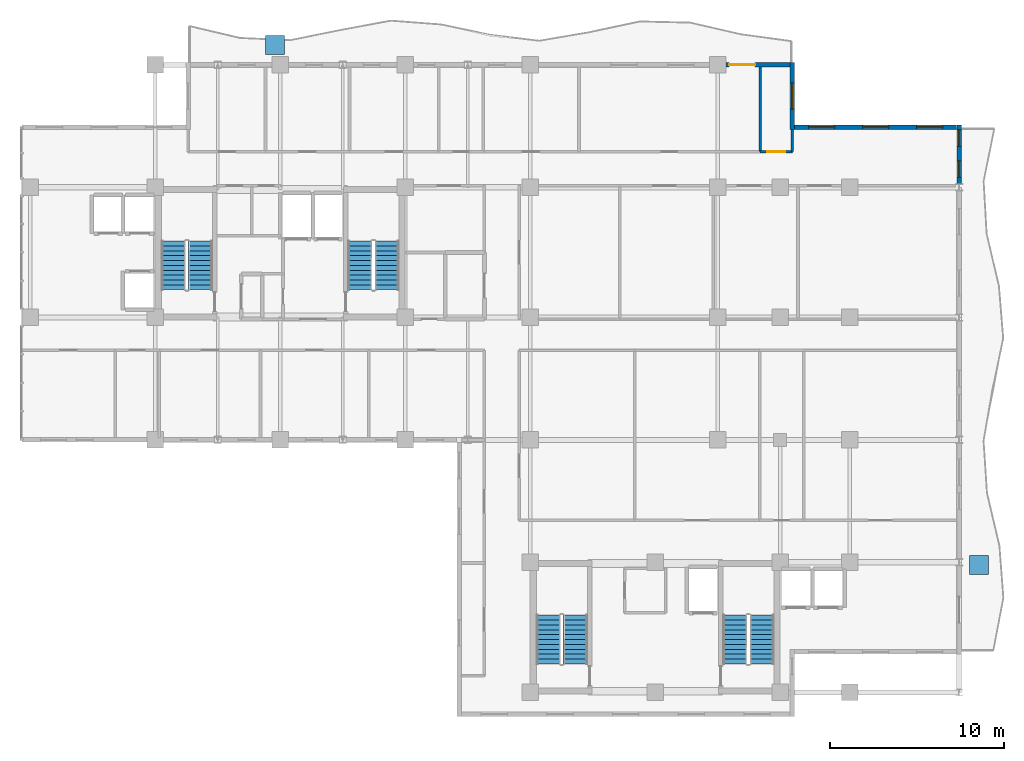
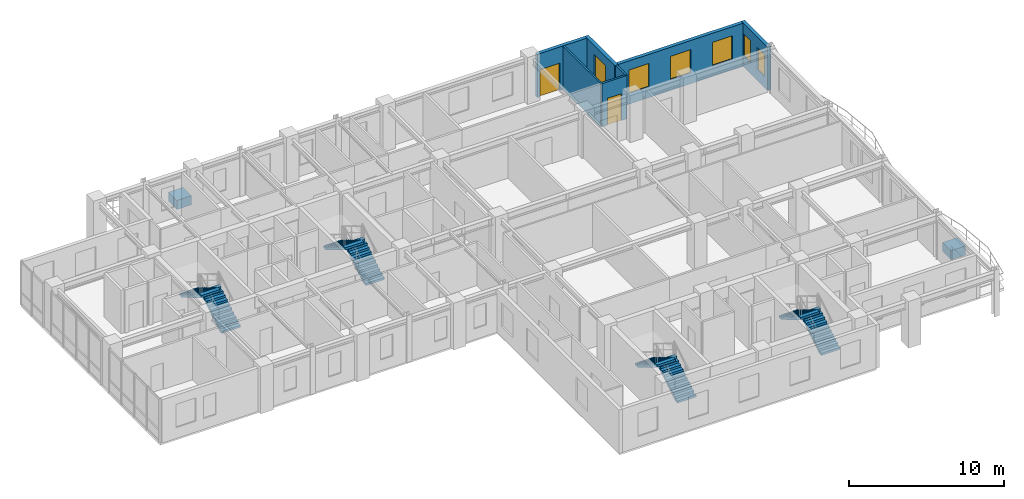
# One storey, part 17 of 20: 8 stair flights, 7 walls, 6 windows, 2 discrete accessories, 2 doors, 8 openings, 4 elements without a shape of their own.
"""IFC4 building model written with IfcOpenShell, lengths in metres."""

from ifc_helpers import new_model, si_unit, direction, frame, frame_2d, origin, origin_2d, place, context, subcontext, project, spatial, polyline, rectangle, outline, extrude, source, transform, mapped, material, layer, layer_set, type_object, element, fill, aggregate, save


model = new_model("IFC4")

# Units and contexts
model_context = context("Model", 3, precision=1e-05, world=origin(), true_north=direction((0.0, 1.0)))
body_context = subcontext(model_context, "Body", "Model", "MODEL_VIEW")
ifc_project = project(units=[si_unit("LENGTHUNIT", "METRE"), si_unit("AREAUNIT", "SQUARE_METRE"), si_unit("VOLUMEUNIT", "CUBIC_METRE"), si_unit("PLANEANGLEUNIT", "RADIAN"), si_unit("MASSUNIT", "GRAM", prefix="KILO")], contexts=[model_context])

# Site, building, storey
site_placement = place(None, origin())
site = spatial("IfcSite", under=ifc_project, at=site_placement, CompositionType="ELEMENT")
building_placement = place(site_placement, origin())
building = spatial("IfcBuilding", under=site, at=building_placement, Name="Kaliganga Portal Commons", CompositionType="ELEMENT")
storey_placement = place(building_placement, frame((0.0, 0.0, 231.39990234375)))
storey = spatial("IfcBuildingStorey", under=building, at=storey_placement, Name="L59", CompositionType="ELEMENT", Elevation=231.39990234375)

# Wall, openings, windows
ifc_material_1 = material(Name="Insulated Aluminium-Clad Spandrel Assembly", Category="aluminium")
ifc_layer_1 = layer(ifc_material_1, 0.260009765625)
ifc_layer_set_1 = layer_set([ifc_layer_1], Name="Insulated Aluminium-Clad Spandrel Assembly")
wall_type_1 = type_object("IfcWallType", Name="WL-EXT-SPAND-260", PredefinedType="STANDARD", material=ifc_layer_set_1)
wall_1_placement = place(storey_placement, frame((60.699951171875, 39.72998046875, 0.0), z_axis=(0.0, 0.0, 1.0), x_axis=(0.0, -1.0, 0.0)))
wall_1 = element("IfcWall", 1, at=wall_1_placement, inside=storey, type_object=wall_type_1, Name="Exterior Envelope Wall L59 P1-E03-S5", PredefinedType="STANDARD", context=body_context, shape_type="SweptSolid", body=[
    extrude(rectangle(XDim=3.37890625, YDim=0.260009765625, at=frame_2d((1.689453125, 0.0))), origin(), (0.0, 0.0, 1.0), 3.420166015625),
])
opening_1_placement = place(wall_1_placement, frame((2.052490234375, 0.0, 0.85009765625)))
opening_1 = element("IfcOpeningElement", 2, at=opening_1_placement, cuts=wall_1, Name="Opening W-04", PredefinedType="OPENING", context=body_context, shape_type="SweptSolid", body=[
    extrude(rectangle(XDim=0.949951171875, YDim=1.75, at=frame_2d((0.47509765625, 0.875))), frame((0.0, 0.14013671875, 0.0), z_axis=(0.0, -1.0, 0.0), x_axis=(1.0, 0.0, 0.0)), (0.0, 0.0, 1.0), 0.280029296875),
])
opening_2_placement = place(wall_1_placement, frame((0.268310546875, 0.0, 0.85009765625)))
opening_2 = element("IfcOpeningElement", 3, at=opening_2_placement, cuts=wall_1, Name="Opening W-04", PredefinedType="OPENING", context=body_context, shape_type="SweptSolid", body=[
    extrude(rectangle(XDim=0.949951171875, YDim=1.75, at=frame_2d((0.47509765625, 0.875))), frame((0.0, 0.14013671875, 0.0), z_axis=(0.0, -1.0, 0.0), x_axis=(1.0, 0.0, 0.0)), (0.0, 0.0, 1.0), 0.280029296875),
])
ifc_material_2 = material(Name="Thermally Broken Aluminium and Low-E Double Glazing", Category="aluminium")
window_type_1 = type_object("IfcWindowType", Name="WIN-NARROW-950", PartitioningType="SINGLE_PANEL", PredefinedType="WINDOW", material=ifc_material_2)
window_1_placement = place(opening_1_placement, origin())
window_1 = element("IfcWindow", 4, at=window_1_placement, inside=storey, type_object=window_type_1, Name="Facade Window L59-P1E03S5-N2", OverallHeight=1.75, OverallWidth=0.949951171875, PartitioningType="SINGLE_PANEL", PredefinedType="WINDOW", context=body_context, shape_type="SweptSolid", body=[
    extrude(rectangle(XDim=0.949951171875, YDim=1.75, at=frame_2d((0.47509765625, 0.875))), frame((0.0, 0.030029296875, 0.0), z_axis=(0.0, -1.0, 0.0), x_axis=(1.0, 0.0, 0.0)), (0.0, 0.0, 1.0), 0.06005859375),
])
fill(opening_1, window_1)
window_2_placement = place(opening_2_placement, origin())
window_2 = element("IfcWindow", 5, at=window_2_placement, inside=storey, type_object=window_type_1, Name="Facade Window L59-P1E03S5-N9", OverallHeight=1.75, OverallWidth=0.949951171875, PartitioningType="SINGLE_PANEL", PredefinedType="WINDOW", context=body_context, shape_type="SweptSolid", body=[
    extrude(rectangle(XDim=0.949951171875, YDim=1.75, at=frame_2d((0.47509765625, 0.875))), frame((0.0, 0.030029296875, 0.0), z_axis=(0.0, -1.0, 0.0), x_axis=(1.0, 0.0, 0.0)), (0.0, 0.0, 1.0), 0.06005859375),
])
fill(opening_2, window_2)

wall_2_placement = place(storey_placement, frame((51.235107421875, 39.60009765625, 0.0), z_axis=(0.0, 0.0, 1.0), x_axis=(1.0, 0.0, 0.0)))
wall_2 = element("IfcWall", 6, at=wall_2_placement, inside=storey, type_object=wall_type_1, Name="Exterior Envelope Wall L59 P1-E04-S1", PredefinedType="STANDARD", context=body_context, shape_type="SweptSolid", body=[
    extrude(rectangle(XDim=9.329833984375, YDim=0.260009765625, at=frame_2d((4.6650390625, 0.0))), origin(), (0.0, 0.0, 1.0), 3.420166015625),
])
opening_3_placement = place(wall_2_placement, frame((0.804931640625, 0.0, 0.85009765625)))
opening_3 = element("IfcOpeningElement", 7, at=opening_3_placement, cuts=wall_2, Name="Opening W-02", PredefinedType="OPENING", context=body_context, shape_type="SweptSolid", body=[
    extrude(rectangle(XDim=1.5, YDim=1.85009765625, at=frame_2d((0.75, 0.925048828125))), frame((0.0, 0.14013671875, 0.0), z_axis=(0.0, -1.0, 0.0), x_axis=(1.0, 0.0, 0.0)), (0.0, 0.0, 1.0), 0.280029296875),
])
opening_4_placement = place(wall_2_placement, frame((3.9150390625, 0.0, 0.85009765625)))
opening_4 = element("IfcOpeningElement", 8, at=opening_4_placement, cuts=wall_2, Name="Opening W-02", PredefinedType="OPENING", context=body_context, shape_type="SweptSolid", body=[
    extrude(rectangle(XDim=1.5, YDim=1.85009765625, at=frame_2d((0.75, 0.925048828125))), frame((0.0, 0.14013671875, 0.0), z_axis=(0.0, -1.0, 0.0), x_axis=(1.0, 0.0, 0.0)), (0.0, 0.0, 1.0), 0.280029296875),
])
opening_5_placement = place(wall_2_placement, frame((7.02490234375, 0.0, 0.85009765625)))
opening_5 = element("IfcOpeningElement", 9, at=opening_5_placement, cuts=wall_2, Name="Opening W-02", PredefinedType="OPENING", context=body_context, shape_type="SweptSolid", body=[
    extrude(rectangle(XDim=1.5, YDim=1.85009765625, at=frame_2d((0.75, 0.925048828125))), frame((0.0, 0.14013671875, 0.0), z_axis=(0.0, -1.0, 0.0), x_axis=(1.0, 0.0, 0.0)), (0.0, 0.0, 1.0), 0.280029296875),
])
window_type_2 = type_object("IfcWindowType", Name="WIN-STD-1500", PartitioningType="DOUBLE_PANEL_VERTICAL", PredefinedType="WINDOW", material=ifc_material_2)
window_3_placement = place(opening_3_placement, origin())
window_3 = element("IfcWindow", 10, at=window_3_placement, inside=storey, type_object=window_type_2, Name="Facade Window L59-P1E04S1-00", OverallHeight=1.85009765625, OverallWidth=1.5, PartitioningType="SINGLE_PANEL", PredefinedType="WINDOW", context=body_context, shape_type="SweptSolid", body=[
    extrude(rectangle(XDim=1.5, YDim=1.85009765625, at=frame_2d((0.75, 0.925048828125))), frame((0.0, 0.030029296875, 0.0), z_axis=(0.0, -1.0, 0.0), x_axis=(1.0, 0.0, 0.0)), (0.0, 0.0, 1.0), 0.06005859375),
])
fill(opening_3, window_3)
window_4_placement = place(opening_4_placement, origin())
window_4 = element("IfcWindow", 11, at=window_4_placement, inside=storey, type_object=window_type_2, Name="Facade Window L59-P1E04S1-01", OverallHeight=1.85009765625, OverallWidth=1.5, PartitioningType="SINGLE_PANEL", PredefinedType="WINDOW", context=body_context, shape_type="SweptSolid", body=[
    extrude(rectangle(XDim=1.5, YDim=1.85009765625, at=frame_2d((0.75, 0.925048828125))), frame((0.0, 0.030029296875, 0.0), z_axis=(0.0, -1.0, 0.0), x_axis=(1.0, 0.0, 0.0)), (0.0, 0.0, 1.0), 0.06005859375),
])
fill(opening_4, window_4)
window_5_placement = place(opening_5_placement, origin())
window_5 = element("IfcWindow", 12, at=window_5_placement, inside=storey, type_object=window_type_2, Name="Facade Window L59-P1E04S1-02", OverallHeight=1.85009765625, OverallWidth=1.5, PartitioningType="SINGLE_PANEL", PredefinedType="WINDOW", context=body_context, shape_type="SweptSolid", body=[
    extrude(rectangle(XDim=1.5, YDim=1.85009765625, at=frame_2d((0.75, 0.925048828125))), frame((0.0, 0.030029296875, 0.0), z_axis=(0.0, -1.0, 0.0), x_axis=(1.0, 0.0, 0.0)), (0.0, 0.0, 1.0), 0.06005859375),
])
fill(opening_5, window_5)

# Wall, opening, window
wall_3_placement = place(storey_placement, frame((51.10009765625, 43.330078125, 0.0), z_axis=(0.0, 0.0, 1.0), x_axis=(0.0, -1.0, 0.0)))
wall_3 = element("IfcWall", 13, at=wall_3_placement, inside=storey, type_object=wall_type_1, Name="Exterior Envelope Wall L59 P1-E05-S1", PredefinedType="STANDARD", context=body_context, shape_type="SweptSolid", body=[
    extrude(rectangle(XDim=3.860107421875, YDim=0.260009765625, at=frame_2d((1.93017578125, 0.0))), origin(), (0.0, 0.0, 1.0), 3.420166015625),
])
opening_6_placement = place(wall_3_placement, frame((1.179931640625, 0.0, 0.85009765625)))
opening_6 = element("IfcOpeningElement", 14, at=opening_6_placement, cuts=wall_3, Name="Opening W-02", PredefinedType="OPENING", context=body_context, shape_type="SweptSolid", body=[
    extrude(rectangle(XDim=1.5, YDim=1.85009765625, at=frame_2d((0.75, 0.925048828125))), frame((0.0, 0.14013671875, 0.0), z_axis=(0.0, -1.0, 0.0), x_axis=(1.0, 0.0, 0.0)), (0.0, 0.0, 1.0), 0.280029296875),
])
window_6_placement = place(opening_6_placement, origin())
window_6 = element("IfcWindow", 15, at=window_6_placement, inside=storey, type_object=window_type_2, Name="Facade Window L59-P1E05S1-00", OverallHeight=1.85009765625, OverallWidth=1.5, PartitioningType="SINGLE_PANEL", PredefinedType="WINDOW", context=body_context, shape_type="SweptSolid", body=[
    extrude(rectangle(XDim=1.5, YDim=1.85009765625, at=frame_2d((0.75, 0.925048828125))), frame((0.0, 0.030029296875, 0.0), z_axis=(0.0, -1.0, 0.0), x_axis=(1.0, 0.0, 0.0)), (0.0, 0.0, 1.0), 0.06005859375),
])
fill(opening_6, window_6)

# Wall, opening, door
wall_4_placement = place(storey_placement, frame((47.27587890625, 43.199951171875, 0.0), z_axis=(0.0, 0.0, 1.0), x_axis=(1.0, 0.0, 0.0)))
wall_4 = element("IfcWall", 16, at=wall_4_placement, inside=storey, type_object=wall_type_1, Name="Exterior Envelope Wall L59 P1-E06-S1", PredefinedType="STANDARD", context=body_context, shape_type="SweptSolid", body=[
    extrude(rectangle(XDim=3.689208984375, YDim=0.260009765625, at=frame_2d((1.8447265625, 0.0))), origin(), (0.0, 0.0, 1.0), 3.420166015625),
])
opening_7_placement = place(wall_4_placement, frame((0.179931640625, 0.0, 0.0)))
opening_7 = element("IfcOpeningElement", 17, at=opening_7_placement, cuts=wall_4, Name="Opening BD-01", PredefinedType="OPENING", context=body_context, shape_type="SweptSolid", body=[
    extrude(rectangle(XDim=1.5, YDim=2.14990234375, at=frame_2d((0.75, 1.074951171875))), frame((0.0, 0.14013671875, 0.0), z_axis=(0.0, -1.0, 0.0), x_axis=(1.0, 0.0, 0.0)), (0.0, 0.0, 1.0), 0.280029296875),
])
ifc_material_3 = material(Name="Anodized Aluminium and Laminated Safety Glass", Category="aluminium")
door_type_1 = type_object("IfcDoorType", Name="DR-BALC-1500", OperationType="SLIDING_TO_LEFT", PredefinedType="DOOR", material=ifc_material_3)
door_1_placement = place(opening_7_placement, origin())
door_1 = element("IfcDoor", 18, at=door_1_placement, inside=storey, type_object=door_type_1, Name="Balcony Sliding Door L59 balc_north", OperationType="SLIDING_TO_LEFT", OverallHeight=2.14990234375, OverallWidth=1.5, PredefinedType="DOOR", context=body_context, shape_type="SweptSolid", body=[
    extrude(rectangle(XDim=1.5, YDim=2.14990234375, at=frame_2d((0.75, 1.074951171875))), frame((0.0, 0.02490234375, 0.0), z_axis=(0.0, -1.0, 0.0), x_axis=(1.0, 0.0, 0.0)), (0.0, 0.0, 1.0), 0.050048828125),
])
fill(opening_7, door_1)

ifc_material_4 = material(Name="Fire-Rated Gypsum Board on Steel Stud", Category="steel")
ifc_layer_2 = layer(ifc_material_4, 0.14990234375)
ifc_layer_set_2 = layer_set([ifc_layer_2], Name="Fire-Rated Gypsum Board on Steel Stud")
wall_type_2 = type_object("IfcWallType", Name="WL-PART-CORR-150", PredefinedType="PARTITIONING", material=ifc_layer_set_2)
wall_5_placement = place(storey_placement, frame((49.239990234375, 38.199951171875, 0.0), z_axis=(0.0, 0.0, 1.0), x_axis=(1.0, 0.0, 0.0)))
wall_5 = element("IfcWall", 19, at=wall_5_placement, inside=storey, type_object=wall_type_2, Name="Interior Partition L59-038", PredefinedType="PARTITIONING", context=body_context, shape_type="SweptSolid", body=[
    extrude(rectangle(XDim=1.860107421875, YDim=0.14990234375, at=frame_2d((0.93017578125, 0.0))), origin(), (0.0, 0.0, 1.0), 3.420166015625),
])
opening_8_placement = place(wall_5_placement, frame((0.405029296875, 0.0, 0.0)))
opening_8 = element("IfcOpeningElement", 20, at=opening_8_placement, cuts=wall_5, Name="Opening UD-02", PredefinedType="OPENING", context=body_context, shape_type="SweptSolid", body=[
    extrude(rectangle(XDim=1.050048828125, YDim=2.1201171875, at=frame_2d((0.52490234375, 1.06005859375))), frame((0.0, 0.0849609375, 0.0), z_axis=(0.0, -1.0, 0.0), x_axis=(1.0, 0.0, 0.0)), (0.0, 0.0, 1.0), 0.169921875),
])
ifc_material_5 = material(Name="Accessible Wide-Leaf Acoustic Fire Door", Category="wood")
door_type_2 = type_object("IfcDoorType", Name="DR-ACC-1050", OperationType="NOTDEFINED", PredefinedType="DOOR", material=ifc_material_5)
door_2_placement = place(opening_8_placement, origin())
door_2 = element("IfcDoor", 21, at=door_2_placement, inside=storey, type_object=door_type_2, Name="Interior Door L59-AN07", OperationType="SINGLE_SWING_RIGHT", OverallHeight=2.1201171875, OverallWidth=1.050048828125, PredefinedType="DOOR", context=body_context, shape_type="SweptSolid", body=[
    extrude(rectangle(XDim=1.050048828125, YDim=2.1201171875, at=frame_2d((0.52490234375, 1.06005859375))), frame((0.0, 0.02490234375, 0.0), z_axis=(0.0, -1.0, 0.0), x_axis=(1.0, 0.0, 0.0)), (0.0, 0.0, 1.0), 0.050048828125),
])
fill(opening_8, door_2)

# Walls
ifc_material_6 = material(Name="Cement-Board Wet-Room Partition", Category="gypsum")
ifc_layer_3 = layer(ifc_material_6, 0.135009765625)
ifc_layer_set_3 = layer_set([ifc_layer_3], Name="Cement-Board Wet-Room Partition")
wall_type_3 = type_object("IfcWallType", Name="WL-PART-WET-135", PredefinedType="PARTITIONING", material=ifc_layer_set_3)
wall_6_placement = place(storey_placement, frame((49.239990234375, 38.199951171875, 0.0), z_axis=(0.0, 0.0, 1.0), x_axis=(0.0, 1.0, 0.0)))
element("IfcWall", 22, at=wall_6_placement, inside=storey, type_object=wall_type_3, Name="Interior Partition L59-068", PredefinedType="PARTITIONING", context=body_context, shape_type="SweptSolid", body=[
    extrude(rectangle(XDim=4.8681640625, YDim=0.135009765625, at=frame_2d((2.43408203125, 0.0))), origin(), (0.0, 0.0, 1.0), 3.420166015625),
])
wall_7_placement = place(storey_placement, frame((51.10009765625, 38.199951171875, 0.0), z_axis=(0.0, 0.0, 1.0), x_axis=(0.0, 1.0, 0.0)))
element("IfcWall", 23, at=wall_7_placement, inside=storey, type_object=wall_type_3, Name="Interior Partition L59-069", PredefinedType="PARTITIONING", context=body_context, shape_type="SweptSolid", body=[
    extrude(rectangle(XDim=1.26806640625, YDim=0.135009765625, at=frame_2d((0.634033203125, 0.0))), origin(), (0.0, 0.0, 1.0), 3.420166015625),
])

# Stair, stair flights
ifc_material_7 = material(Name="Concrete C40/50", Category="concrete")
stair_type = type_object("IfcStairType", Name="ST-CORE-DOGLEG", PredefinedType="HALF_TURN_STAIR", material=ifc_material_7)
stair_1_placement = place(storey_placement, origin())
stair_1 = element("IfcStair", 24, at=stair_1_placement, inside=storey, type_object=stair_type, Name="L59 Protected Exit Stair ST-A1", PredefinedType="HALF_TURN_STAIR")
stair_flight_type = type_object("IfcStairFlightType", Name="STF-RC-1400", PredefinedType="STRAIGHT", material=ifc_material_7)
stair_flight_1_placement = place(storey_placement, frame((17.0, 30.25, 0.0), z_axis=(0.0, 0.0, 1.0), x_axis=(0.0, 1.0, 0.0)))
stair_flight_1 = element("IfcStairFlight", 25, at=stair_flight_1_placement, type_object=stair_flight_type, Name="ST-A1 flight 1", NumberOfRisers=11, NumberOfTreads=10, PredefinedType="STRAIGHT", RiserHeight=0.168181818, TreadLength=0.28, context=body_context, shape_type="SweptSolid", body=[
    extrude(outline(polyline([(0.0, 0.0), (0.0, 0.168212890625), (0.280029296875, 0.168212890625), (0.280029296875, 0.33642578125), (0.56005859375, 0.33642578125), (0.56005859375, 0.504638671875), (0.840087890625, 0.504638671875), (0.840087890625, 0.672607421875), (1.1201171875, 0.672607421875), (1.1201171875, 0.8408203125), (1.39990234375, 0.8408203125), (1.39990234375, 1.009033203125), (1.679931640625, 1.009033203125), (1.679931640625, 1.17724609375), (1.9599609375, 1.17724609375), (1.9599609375, 1.345458984375), (2.239990234375, 1.345458984375), (2.239990234375, 1.513671875), (2.52001953125, 1.513671875), (2.52001953125, 1.681884765625), (2.800048828125, 1.681884765625), (2.800048828125, 1.85009765625), (2.800048828125, 1.5068359375), (0.291015625, 0.0), (0.0, 0.0)])), frame((0.0, 0.699951171875, 0.0), z_axis=(0.0, -1.0, 0.0), x_axis=(1.0, 0.0, 0.0)), (0.0, 0.0, 1.0), 1.39990234375),
])
stair_flight_2_placement = place(storey_placement, frame((15.449951171875, 33.050048828125, 1.85009765625), z_axis=(0.0, 0.0, 1.0), x_axis=(0.0, -1.0, 0.0)))
stair_flight_2 = element("IfcStairFlight", 26, at=stair_flight_2_placement, type_object=stair_flight_type, Name="ST-A1 flight 2", NumberOfRisers=11, NumberOfTreads=10, PredefinedType="STRAIGHT", RiserHeight=0.168181818, TreadLength=0.28, context=body_context, shape_type="SweptSolid", body=[
    extrude(outline(polyline([(0.0, 0.0), (0.0, 0.168212890625), (0.280029296875, 0.168212890625), (0.280029296875, 0.33642578125), (0.56005859375, 0.33642578125), (0.56005859375, 0.504638671875), (0.840087890625, 0.504638671875), (0.840087890625, 0.672607421875), (1.1201171875, 0.672607421875), (1.1201171875, 0.8408203125), (1.39990234375, 0.8408203125), (1.39990234375, 1.009033203125), (1.679931640625, 1.009033203125), (1.679931640625, 1.17724609375), (1.9599609375, 1.17724609375), (1.9599609375, 1.345458984375), (2.239990234375, 1.345458984375), (2.239990234375, 1.513671875), (2.52001953125, 1.513671875), (2.52001953125, 1.681884765625), (2.800048828125, 1.681884765625), (2.800048828125, 1.85009765625), (2.800048828125, 1.5068359375), (0.291015625, 0.0), (0.0, 0.0)])), frame((0.0, 0.699951171875, 0.0), z_axis=(0.0, -1.0, 0.0), x_axis=(1.0, 0.0, 0.0)), (0.0, 0.0, 1.0), 1.39990234375),
])
aggregate(stair_1, [stair_flight_1, stair_flight_2])

stair_2_placement = place(storey_placement, origin())
stair_2 = element("IfcStair", 27, at=stair_2_placement, inside=storey, type_object=stair_type, Name="L59 Protected Exit Stair ST-A2", PredefinedType="HALF_TURN_STAIR")
stair_flight_3_placement = place(storey_placement, frame((27.75, 30.25, 0.0), z_axis=(0.0, 0.0, 1.0), x_axis=(0.0, 1.0, 0.0)))
stair_flight_3 = element("IfcStairFlight", 28, at=stair_flight_3_placement, type_object=stair_flight_type, Name="ST-A2 flight 1", NumberOfRisers=11, NumberOfTreads=10, PredefinedType="STRAIGHT", RiserHeight=0.168181818, TreadLength=0.28, context=body_context, shape_type="SweptSolid", body=[
    extrude(outline(polyline([(0.0, 0.0), (0.0, 0.168212890625), (0.280029296875, 0.168212890625), (0.280029296875, 0.33642578125), (0.56005859375, 0.33642578125), (0.56005859375, 0.504638671875), (0.840087890625, 0.504638671875), (0.840087890625, 0.672607421875), (1.1201171875, 0.672607421875), (1.1201171875, 0.8408203125), (1.39990234375, 0.8408203125), (1.39990234375, 1.009033203125), (1.679931640625, 1.009033203125), (1.679931640625, 1.17724609375), (1.9599609375, 1.17724609375), (1.9599609375, 1.345458984375), (2.239990234375, 1.345458984375), (2.239990234375, 1.513671875), (2.52001953125, 1.513671875), (2.52001953125, 1.681884765625), (2.800048828125, 1.681884765625), (2.800048828125, 1.85009765625), (2.800048828125, 1.5068359375), (0.291015625, 0.0), (0.0, 0.0)])), frame((0.0, 0.699951171875, 0.0), z_axis=(0.0, -1.0, 0.0), x_axis=(1.0, 0.0, 0.0)), (0.0, 0.0, 1.0), 1.39990234375),
])
stair_flight_4_placement = place(storey_placement, frame((26.199951171875, 33.050048828125, 1.85009765625), z_axis=(0.0, 0.0, 1.0), x_axis=(0.0, -1.0, 0.0)))
stair_flight_4 = element("IfcStairFlight", 29, at=stair_flight_4_placement, type_object=stair_flight_type, Name="ST-A2 flight 2", NumberOfRisers=11, NumberOfTreads=10, PredefinedType="STRAIGHT", RiserHeight=0.168181818, TreadLength=0.28, context=body_context, shape_type="SweptSolid", body=[
    extrude(outline(polyline([(0.0, 0.0), (0.0, 0.168212890625), (0.280029296875, 0.168212890625), (0.280029296875, 0.33642578125), (0.56005859375, 0.33642578125), (0.56005859375, 0.504638671875), (0.840087890625, 0.504638671875), (0.840087890625, 0.672607421875), (1.1201171875, 0.672607421875), (1.1201171875, 0.8408203125), (1.39990234375, 0.8408203125), (1.39990234375, 1.009033203125), (1.679931640625, 1.009033203125), (1.679931640625, 1.17724609375), (1.9599609375, 1.17724609375), (1.9599609375, 1.345458984375), (2.239990234375, 1.345458984375), (2.239990234375, 1.513671875), (2.52001953125, 1.513671875), (2.52001953125, 1.681884765625), (2.800048828125, 1.681884765625), (2.800048828125, 1.85009765625), (2.800048828125, 1.5068359375), (0.291015625, 0.0), (0.0, 0.0)])), frame((0.0, 0.699951171875, 0.0), z_axis=(0.0, -1.0, 0.0), x_axis=(1.0, 0.0, 0.0)), (0.0, 0.0, 1.0), 1.39990234375),
])
aggregate(stair_2, [stair_flight_3, stair_flight_4])

stair_3_placement = place(storey_placement, origin())
stair_3 = element("IfcStair", 30, at=stair_3_placement, inside=storey, type_object=stair_type, Name="L59 Protected Exit Stair ST-B1", PredefinedType="HALF_TURN_STAIR")
stair_flight_5_placement = place(storey_placement, frame((38.60009765625, 8.699951171875, 0.0), z_axis=(0.0, 0.0, 1.0), x_axis=(0.0, 1.0, 0.0)))
stair_flight_5 = element("IfcStairFlight", 31, at=stair_flight_5_placement, type_object=stair_flight_type, Name="ST-B1 flight 1", NumberOfRisers=11, NumberOfTreads=10, PredefinedType="STRAIGHT", RiserHeight=0.168181818, TreadLength=0.28, context=body_context, shape_type="SweptSolid", body=[
    extrude(outline(polyline([(0.0, 0.0), (0.0, 0.168212890625), (0.280029296875, 0.168212890625), (0.280029296875, 0.33642578125), (0.56005859375, 0.33642578125), (0.56005859375, 0.504638671875), (0.840087890625, 0.504638671875), (0.840087890625, 0.672607421875), (1.1201171875, 0.672607421875), (1.1201171875, 0.8408203125), (1.39990234375, 0.8408203125), (1.39990234375, 1.009033203125), (1.679931640625, 1.009033203125), (1.679931640625, 1.17724609375), (1.9599609375, 1.17724609375), (1.9599609375, 1.345458984375), (2.239990234375, 1.345458984375), (2.239990234375, 1.513671875), (2.52001953125, 1.513671875), (2.52001953125, 1.681884765625), (2.800048828125, 1.681884765625), (2.800048828125, 1.85009765625), (2.800048828125, 1.5068359375), (0.291015625, 0.0), (0.0, 0.0)])), frame((0.0, 0.699951171875, 0.0), z_axis=(0.0, -1.0, 0.0), x_axis=(1.0, 0.0, 0.0)), (0.0, 0.0, 1.0), 1.39990234375),
])
stair_flight_6_placement = place(storey_placement, frame((37.050048828125, 11.5, 1.85009765625), z_axis=(0.0, 0.0, 1.0), x_axis=(0.0, -1.0, 0.0)))
stair_flight_6 = element("IfcStairFlight", 32, at=stair_flight_6_placement, type_object=stair_flight_type, Name="ST-B1 flight 2", NumberOfRisers=11, NumberOfTreads=10, PredefinedType="STRAIGHT", RiserHeight=0.168181818, TreadLength=0.28, context=body_context, shape_type="SweptSolid", body=[
    extrude(outline(polyline([(0.0, 0.0), (0.0, 0.168212890625), (0.280029296875, 0.168212890625), (0.280029296875, 0.33642578125), (0.56005859375, 0.33642578125), (0.56005859375, 0.504638671875), (0.840087890625, 0.504638671875), (0.840087890625, 0.672607421875), (1.1201171875, 0.672607421875), (1.1201171875, 0.8408203125), (1.39990234375, 0.8408203125), (1.39990234375, 1.009033203125), (1.679931640625, 1.009033203125), (1.679931640625, 1.17724609375), (1.9599609375, 1.17724609375), (1.9599609375, 1.345458984375), (2.239990234375, 1.345458984375), (2.239990234375, 1.513671875), (2.52001953125, 1.513671875), (2.52001953125, 1.681884765625), (2.800048828125, 1.681884765625), (2.800048828125, 1.85009765625), (2.800048828125, 1.5068359375), (0.291015625, 0.0), (0.0, 0.0)])), frame((0.0, 0.699951171875, 0.0), z_axis=(0.0, -1.0, 0.0), x_axis=(1.0, 0.0, 0.0)), (0.0, 0.0, 1.0), 1.39990234375),
])
aggregate(stair_3, [stair_flight_5, stair_flight_6])

stair_4_placement = place(storey_placement, origin())
stair_4 = element("IfcStair", 33, at=stair_4_placement, inside=storey, type_object=stair_type, Name="L59 Protected Exit Stair ST-B2", PredefinedType="HALF_TURN_STAIR")
stair_flight_7_placement = place(storey_placement, frame((49.35009765625, 8.699951171875, 0.0), z_axis=(0.0, 0.0, 1.0), x_axis=(0.0, 1.0, 0.0)))
stair_flight_7 = element("IfcStairFlight", 34, at=stair_flight_7_placement, type_object=stair_flight_type, Name="ST-B2 flight 1", NumberOfRisers=11, NumberOfTreads=10, PredefinedType="STRAIGHT", RiserHeight=0.168181818, TreadLength=0.28, context=body_context, shape_type="SweptSolid", body=[
    extrude(outline(polyline([(0.0, 0.0), (0.0, 0.168212890625), (0.280029296875, 0.168212890625), (0.280029296875, 0.33642578125), (0.56005859375, 0.33642578125), (0.56005859375, 0.504638671875), (0.840087890625, 0.504638671875), (0.840087890625, 0.672607421875), (1.1201171875, 0.672607421875), (1.1201171875, 0.8408203125), (1.39990234375, 0.8408203125), (1.39990234375, 1.009033203125), (1.679931640625, 1.009033203125), (1.679931640625, 1.17724609375), (1.9599609375, 1.17724609375), (1.9599609375, 1.345458984375), (2.239990234375, 1.345458984375), (2.239990234375, 1.513671875), (2.52001953125, 1.513671875), (2.52001953125, 1.681884765625), (2.800048828125, 1.681884765625), (2.800048828125, 1.85009765625), (2.800048828125, 1.5068359375), (0.291015625, 0.0), (0.0, 0.0)])), frame((0.0, 0.699951171875, 0.0), z_axis=(0.0, -1.0, 0.0), x_axis=(1.0, 0.0, 0.0)), (0.0, 0.0, 1.0), 1.39990234375),
])
stair_flight_8_placement = place(storey_placement, frame((47.800048828125, 11.5, 1.85009765625), z_axis=(0.0, 0.0, 1.0), x_axis=(0.0, -1.0, 0.0)))
stair_flight_8 = element("IfcStairFlight", 35, at=stair_flight_8_placement, type_object=stair_flight_type, Name="ST-B2 flight 2", NumberOfRisers=11, NumberOfTreads=10, PredefinedType="STRAIGHT", RiserHeight=0.168181818, TreadLength=0.28, context=body_context, shape_type="SweptSolid", body=[
    extrude(outline(polyline([(0.0, 0.0), (0.0, 0.168212890625), (0.280029296875, 0.168212890625), (0.280029296875, 0.33642578125), (0.56005859375, 0.33642578125), (0.56005859375, 0.504638671875), (0.840087890625, 0.504638671875), (0.840087890625, 0.672607421875), (1.1201171875, 0.672607421875), (1.1201171875, 0.8408203125), (1.39990234375, 0.8408203125), (1.39990234375, 1.009033203125), (1.679931640625, 1.009033203125), (1.679931640625, 1.17724609375), (1.9599609375, 1.17724609375), (1.9599609375, 1.345458984375), (2.239990234375, 1.345458984375), (2.239990234375, 1.513671875), (2.52001953125, 1.513671875), (2.52001953125, 1.681884765625), (2.800048828125, 1.681884765625), (2.800048828125, 1.85009765625), (2.800048828125, 1.5068359375), (0.291015625, 0.0), (0.0, 0.0)])), frame((0.0, 0.699951171875, 0.0), z_axis=(0.0, -1.0, 0.0), x_axis=(1.0, 0.0, 0.0)), (0.0, 0.0, 1.0), 1.39990234375),
])
aggregate(stair_4, [stair_flight_7, stair_flight_8])

# Discrete accessories
ifc_material_8 = material(Name="Precast concrete C40/50", Category="concrete")
discrete_accessory_type = type_object("IfcDiscreteAccessoryType", Name="DAC-PLANTER-RC", PredefinedType="USERDEFINED", material=ifc_material_8)
shared_shape = source(origin(), body_context, "Body", "SweptSolid", [
    extrude(rectangle(XDim=1.10009765625, YDim=1.10009765625, at=origin_2d()), origin(), (0.0, 0.0, 1.0), 0.719970703125),
])
for number, where, z_axis, x_axis, name in (
    (36, (21.300048828125, 44.35009765625, 0.0), (0.0, 0.0, 1.0), (1.0, 0.0, 0.0), "Structural Tree Planter L59 balc_north"),
    (37, (61.85009765625, 14.39990234375, 0.0), (0.0, 0.0, 1.0), (1.0, 0.0, 0.0), "Structural Tree Planter L59 balc_east"),
):
    element("IfcDiscreteAccessory", number, at=place(storey_placement, frame(where, z_axis=z_axis, x_axis=x_axis)), inside=storey, type_object=discrete_accessory_type, Name=name, ObjectType="PLANTER", PredefinedType="USERDEFINED", context=body_context, shape_type="MappedRepresentation", body=[
        mapped(shared_shape, transform((0.0, 0.0, 0.0), x_axis=(1.0, 0.0, 0.0), y_axis=(0.0, 1.0, 0.0), z_axis=(0.0, 0.0, 1.0), scale=1.0)),
    ])

save(model, "model.ifc")
